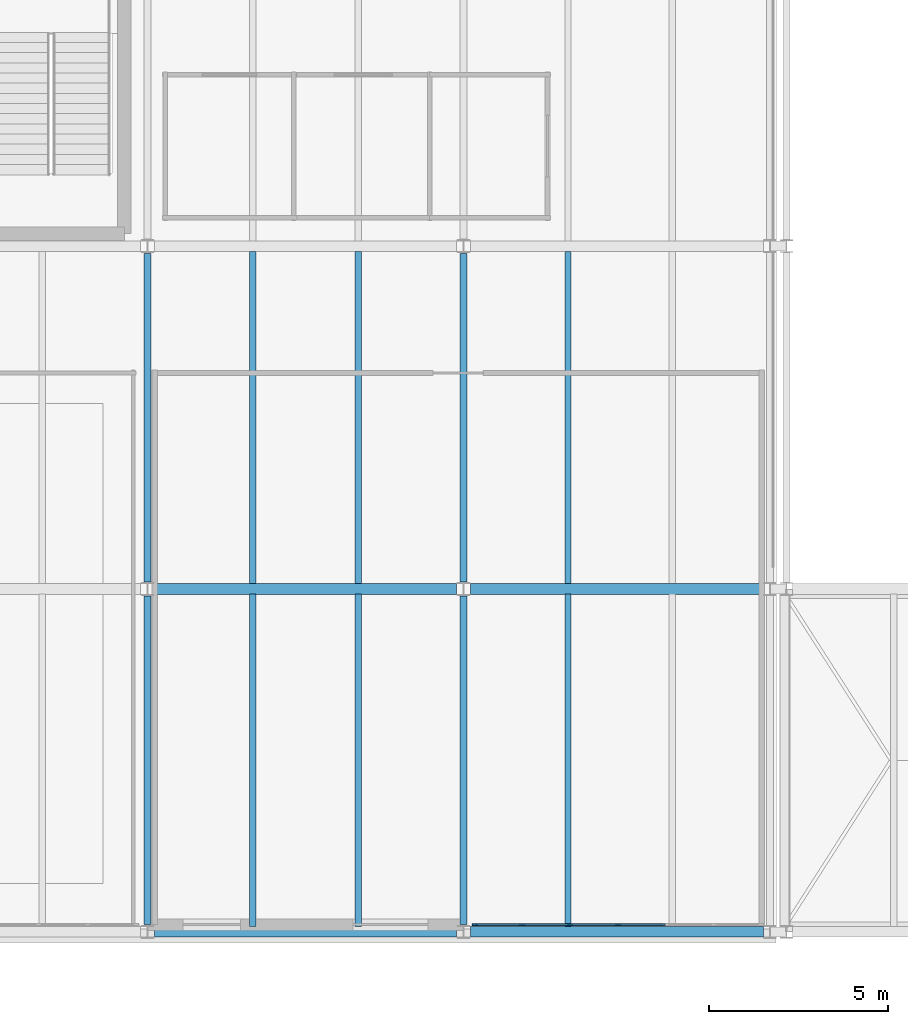
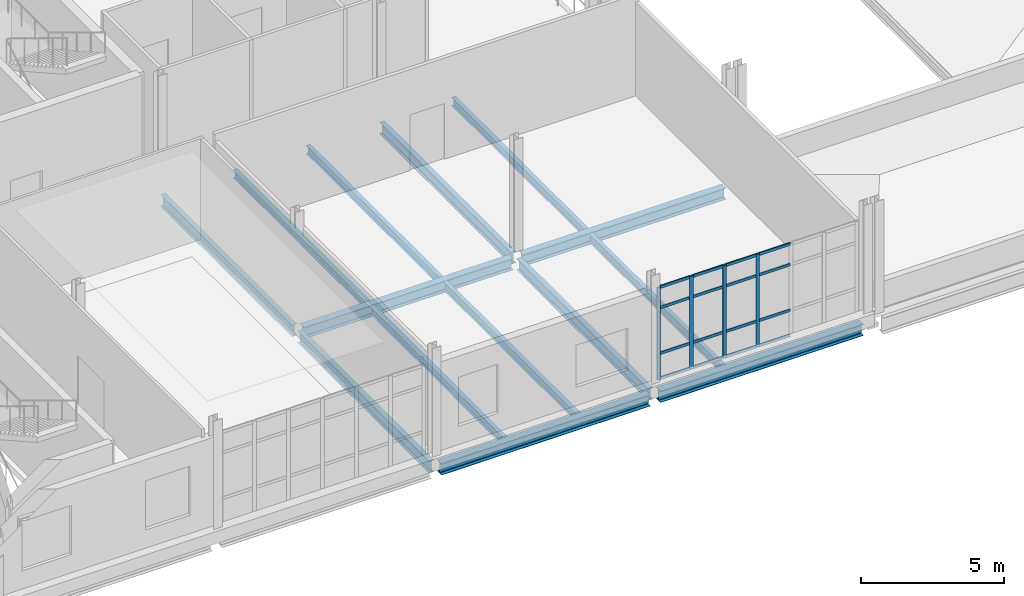
# One storey, part 20 of 112: 20 members, 14 beams, 1 element without a shape of its own.
"""IFC4 building model written with IfcOpenShell, lengths in metres."""

from ifc_helpers import new_model, si_unit, direction, frame, origin, origin_2d, place, context, subcontext, project, spatial, rectangle, i_section, extrude, material, layer, layer_set, material_profile, profile_set, type_object, element, aggregate, save


model = new_model("IFC4")

# Units and contexts
model_context = context("Model", 3, precision=1e-05, world=origin(), true_north=direction((0.0, 1.0)))
body_context = subcontext(model_context, "Body", "Model", "MODEL_VIEW")
ifc_project = project(units=[si_unit("LENGTHUNIT", "METRE"), si_unit("AREAUNIT", "SQUARE_METRE"), si_unit("VOLUMEUNIT", "CUBIC_METRE"), si_unit("PLANEANGLEUNIT", "RADIAN"), si_unit("MASSUNIT", "GRAM", prefix="KILO")], contexts=[model_context])

# Site, building, storey
site_placement = place(None, origin())
site = spatial("IfcSite", under=ifc_project, at=site_placement, CompositionType="ELEMENT")
building_placement = place(site_placement, origin())
building = spatial("IfcBuilding", under=site, at=building_placement, Name="Yeouljin Market Hall", CompositionType="ELEMENT")
storey_placement = place(building_placement, frame((0.0, 0.0, 6.0)))
storey = spatial("IfcBuildingStorey", under=building, at=storey_placement, Name="L01", CompositionType="ELEMENT", Elevation=6.0)

# Beams
ifc_material_1 = material(Name="Steel SM355", Category="steel")
ifc_material_profile_1 = material_profile(ifc_material_1, i_section(OverallWidth=0.199951171875, OverallDepth=0.5, WebThickness=0.010009765625, FlangeThickness=0.01611328125, FilletRadius=0.02001953125, at=origin_2d()), Name="H-500x200x10x16")
ifc_profile_set_1 = profile_set([ifc_material_profile_1], Name="Steel SM355")
beam_type_1 = type_object("IfcBeamType", Name="Beam_H-500x200x10x16", PredefinedType="BEAM", material=ifc_profile_set_1)
for number, where, z_axis, x_axis, name in (
    (1, (17.699951171875, 0.199951171875, -0.514892578125), (0.0, 1.0, 0.0), (-1.0, 0.0, 0.0), "Primary beam BM-L01-Y136"),
    (2, (17.699951171875, 9.800048828125, -0.514892578125), (0.0, 1.0, 0.0), (-1.0, 0.0, 0.0), "Primary beam BM-L01-Y137"),
    (3, (26.550048828125, 0.199951171875, -0.514892578125), (0.0, 1.0, 0.0), (-1.0, 0.0, 0.0), "Primary beam BM-L01-Y141"),
    (4, (26.550048828125, 9.800048828125, -0.514892578125), (0.0, 1.0, 0.0), (-1.0, 0.0, 0.0), "Primary beam BM-L01-Y142"),
):
    element("IfcBeam", number, at=place(storey_placement, frame(where, z_axis=z_axis, x_axis=x_axis)), inside=storey, type_object=beam_type_1, Name=name, PredefinedType="BEAM", context=body_context, shape_type="SweptSolid", body=[
        extrude(i_section(OverallWidth=0.199951171875, OverallDepth=0.5, WebThickness=0.010009765625, FlangeThickness=0.01611328125, FilletRadius=0.02001953125, at=origin_2d()), origin(), (0.0, 0.0, 1.0), 9.199951171875),
    ])

# Curtain wall, members
ifc_material_2 = material(Name="Thermally Broken Aluminium", Category="aluminium")
ifc_layer = layer(ifc_material_2, 0.14990234375)
ifc_layer_set = layer_set([ifc_layer], Name="Thermally Broken Aluminium")
curtain_wall_type = type_object("IfcCurtainWallType", Name="CW_AcademyRibbon_System", PredefinedType="USERDEFINED", material=ifc_layer_set)
curtain_wall_placement = place(storey_placement, origin())
curtain_wall = element("IfcCurtainWall", 5, at=curtain_wall_placement, inside=storey, type_object=curtain_wall_type, Name="Curtain wall CW-L01-W01", ObjectType="CURTAIN WALL", PredefinedType="USERDEFINED")
ifc_material_3 = material(Name="Thermally Broken Aluminium", Category="aluminium")
ifc_material_profile_2 = material_profile(ifc_material_3, rectangle(XDim=0.048095703125, YDim=0.14990234375, at=origin_2d()), Name="CW-MULL-48x150")
ifc_profile_set_2 = profile_set([ifc_material_profile_2], Name="Thermally Broken Aluminium")
member_type_1 = type_object("IfcMemberType", Name="CWMullion_48x150", PredefinedType="MULLION", material=ifc_profile_set_2)
member_1_placement = place(storey_placement, frame((30.875, 0.199951171875, 0.0), z_axis=(0.0, 0.0, 1.0), x_axis=(0.0, -1.0, 0.0)))
member_1 = element("IfcMember", 6, at=member_1_placement, type_object=member_type_1, Name="CW-05 mullion 4", PredefinedType="MULLION", context=body_context, shape_type="SweptSolid", body=[
    extrude(rectangle(XDim=0.048095703125, YDim=0.14990234375, at=origin_2d()), origin(), (0.0, 0.0, 1.0), 3.949951171875),
])
member_2_placement = place(storey_placement, frame((29.533447265625, 0.199951171875, 0.0), z_axis=(0.0, 0.0, 1.0), x_axis=(0.0, -1.0, 0.0)))
member_2 = element("IfcMember", 7, at=member_2_placement, type_object=member_type_1, Name="CW-05 mullion 5", PredefinedType="MULLION", context=body_context, shape_type="SweptSolid", body=[
    extrude(rectangle(XDim=0.048095703125, YDim=0.14990234375, at=origin_2d()), origin(), (0.0, 0.0, 1.0), 3.949951171875),
])
member_3_placement = place(storey_placement, frame((28.191650390625, 0.199951171875, 0.0), z_axis=(0.0, 0.0, 1.0), x_axis=(0.0, -1.0, 0.0)))
member_3 = element("IfcMember", 8, at=member_3_placement, type_object=member_type_1, Name="CW-05 mullion 6", PredefinedType="MULLION", context=body_context, shape_type="SweptSolid", body=[
    extrude(rectangle(XDim=0.048095703125, YDim=0.14990234375, at=origin_2d()), origin(), (0.0, 0.0, 1.0), 3.949951171875),
])
member_4_placement = place(storey_placement, frame((26.8740234375, 0.199951171875, 0.0), z_axis=(0.0, 0.0, 1.0), x_axis=(0.0, -1.0, 0.0)))
member_4 = element("IfcMember", 9, at=member_4_placement, type_object=member_type_1, Name="CW-05 mullion 7", PredefinedType="MULLION", context=body_context, shape_type="SweptSolid", body=[
    extrude(rectangle(XDim=0.048095703125, YDim=0.14990234375, at=origin_2d()), origin(), (0.0, 0.0, 1.0), 3.949951171875),
])
ifc_material_4 = material(Name="Thermally Broken Aluminium", Category="aluminium")
ifc_material_profile_3 = material_profile(ifc_material_4, rectangle(XDim=0.048095703125, YDim=0.1201171875, at=origin_2d()), Name="CW-TRAN-48x120")
ifc_profile_set_3 = profile_set([ifc_material_profile_3], Name="Thermally Broken Aluminium")
member_type_2 = type_object("IfcMemberType", Name="CWTransom_48x120", PredefinedType="USERDEFINED", material=ifc_profile_set_3)
member_5_placement = place(storey_placement, frame((32.192626953125, 0.199951171875, 0.02392578125), z_axis=(-1.0, 0.0, 0.0), x_axis=(0.0, -1.0, 0.0)))
member_5 = element("IfcMember", 10, at=member_5_placement, type_object=member_type_2, Name="CW-05 transom 3.1", ObjectType="TRANSOM", PredefinedType="USERDEFINED", context=body_context, shape_type="SweptSolid", body=[
    extrude(rectangle(XDim=0.048095703125, YDim=0.1201171875, at=origin_2d()), origin(), (0.0, 0.0, 1.0), 1.293701171875),
])
member_6_placement = place(storey_placement, frame((32.192626953125, 0.199951171875, 1.10009765625), z_axis=(-1.0, 0.0, 0.0), x_axis=(0.0, -1.0, 0.0)))
member_6 = element("IfcMember", 11, at=member_6_placement, type_object=member_type_2, Name="CW-05 transom 3.2", ObjectType="TRANSOM", PredefinedType="USERDEFINED", context=body_context, shape_type="SweptSolid", body=[
    extrude(rectangle(XDim=0.048095703125, YDim=0.1201171875, at=origin_2d()), origin(), (0.0, 0.0, 1.0), 1.293701171875),
])
member_7_placement = place(storey_placement, frame((32.192626953125, 0.199951171875, 3.050048828125), z_axis=(-1.0, 0.0, 0.0), x_axis=(0.0, -1.0, 0.0)))
member_7 = element("IfcMember", 12, at=member_7_placement, type_object=member_type_2, Name="CW-05 transom 3.3", ObjectType="TRANSOM", PredefinedType="USERDEFINED", context=body_context, shape_type="SweptSolid", body=[
    extrude(rectangle(XDim=0.048095703125, YDim=0.1201171875, at=origin_2d()), origin(), (0.0, 0.0, 1.0), 1.293701171875),
])
member_8_placement = place(storey_placement, frame((32.192626953125, 0.199951171875, 3.926025390625), z_axis=(-1.0, 0.0, 0.0), x_axis=(0.0, -1.0, 0.0)))
member_8 = element("IfcMember", 13, at=member_8_placement, type_object=member_type_2, Name="CW-05 transom 3.4", ObjectType="TRANSOM", PredefinedType="USERDEFINED", context=body_context, shape_type="SweptSolid", body=[
    extrude(rectangle(XDim=0.048095703125, YDim=0.1201171875, at=origin_2d()), origin(), (0.0, 0.0, 1.0), 1.293701171875),
])
member_9_placement = place(storey_placement, frame((30.85107421875, 0.199951171875, 0.02392578125), z_axis=(-1.0, 0.0, 0.0), x_axis=(0.0, -1.0, 0.0)))
member_9 = element("IfcMember", 14, at=member_9_placement, type_object=member_type_2, Name="CW-05 transom 4.1", ObjectType="TRANSOM", PredefinedType="USERDEFINED", context=body_context, shape_type="SweptSolid", body=[
    extrude(rectangle(XDim=0.048095703125, YDim=0.1201171875, at=origin_2d()), origin(), (0.0, 0.0, 1.0), 1.293701171875),
])
member_10_placement = place(storey_placement, frame((30.85107421875, 0.199951171875, 1.10009765625), z_axis=(-1.0, 0.0, 0.0), x_axis=(0.0, -1.0, 0.0)))
member_10 = element("IfcMember", 15, at=member_10_placement, type_object=member_type_2, Name="CW-05 transom 4.2", ObjectType="TRANSOM", PredefinedType="USERDEFINED", context=body_context, shape_type="SweptSolid", body=[
    extrude(rectangle(XDim=0.048095703125, YDim=0.1201171875, at=origin_2d()), origin(), (0.0, 0.0, 1.0), 1.293701171875),
])
member_11_placement = place(storey_placement, frame((30.85107421875, 0.199951171875, 3.050048828125), z_axis=(-1.0, 0.0, 0.0), x_axis=(0.0, -1.0, 0.0)))
member_11 = element("IfcMember", 16, at=member_11_placement, type_object=member_type_2, Name="CW-05 transom 4.3", ObjectType="TRANSOM", PredefinedType="USERDEFINED", context=body_context, shape_type="SweptSolid", body=[
    extrude(rectangle(XDim=0.048095703125, YDim=0.1201171875, at=origin_2d()), origin(), (0.0, 0.0, 1.0), 1.293701171875),
])
member_12_placement = place(storey_placement, frame((30.85107421875, 0.199951171875, 3.926025390625), z_axis=(-1.0, 0.0, 0.0), x_axis=(0.0, -1.0, 0.0)))
member_12 = element("IfcMember", 17, at=member_12_placement, type_object=member_type_2, Name="CW-05 transom 4.4", ObjectType="TRANSOM", PredefinedType="USERDEFINED", context=body_context, shape_type="SweptSolid", body=[
    extrude(rectangle(XDim=0.048095703125, YDim=0.1201171875, at=origin_2d()), origin(), (0.0, 0.0, 1.0), 1.293701171875),
])
member_13_placement = place(storey_placement, frame((29.50927734375, 0.199951171875, 0.02392578125), z_axis=(-1.0, 0.0, 0.0), x_axis=(0.0, -1.0, 0.0)))
member_13 = element("IfcMember", 18, at=member_13_placement, type_object=member_type_2, Name="CW-05 transom 5.1", ObjectType="TRANSOM", PredefinedType="USERDEFINED", context=body_context, shape_type="SweptSolid", body=[
    extrude(rectangle(XDim=0.048095703125, YDim=0.1201171875, at=origin_2d()), origin(), (0.0, 0.0, 1.0), 1.293701171875),
])
member_14_placement = place(storey_placement, frame((29.50927734375, 0.199951171875, 1.10009765625), z_axis=(-1.0, 0.0, 0.0), x_axis=(0.0, -1.0, 0.0)))
member_14 = element("IfcMember", 19, at=member_14_placement, type_object=member_type_2, Name="CW-05 transom 5.2", ObjectType="TRANSOM", PredefinedType="USERDEFINED", context=body_context, shape_type="SweptSolid", body=[
    extrude(rectangle(XDim=0.048095703125, YDim=0.1201171875, at=origin_2d()), origin(), (0.0, 0.0, 1.0), 1.293701171875),
])
member_15_placement = place(storey_placement, frame((29.50927734375, 0.199951171875, 3.050048828125), z_axis=(-1.0, 0.0, 0.0), x_axis=(0.0, -1.0, 0.0)))
member_15 = element("IfcMember", 20, at=member_15_placement, type_object=member_type_2, Name="CW-05 transom 5.3", ObjectType="TRANSOM", PredefinedType="USERDEFINED", context=body_context, shape_type="SweptSolid", body=[
    extrude(rectangle(XDim=0.048095703125, YDim=0.1201171875, at=origin_2d()), origin(), (0.0, 0.0, 1.0), 1.293701171875),
])
member_16_placement = place(storey_placement, frame((29.50927734375, 0.199951171875, 3.926025390625), z_axis=(-1.0, 0.0, 0.0), x_axis=(0.0, -1.0, 0.0)))
member_16 = element("IfcMember", 21, at=member_16_placement, type_object=member_type_2, Name="CW-05 transom 5.4", ObjectType="TRANSOM", PredefinedType="USERDEFINED", context=body_context, shape_type="SweptSolid", body=[
    extrude(rectangle(XDim=0.048095703125, YDim=0.1201171875, at=origin_2d()), origin(), (0.0, 0.0, 1.0), 1.293701171875),
])
member_17_placement = place(storey_placement, frame((28.167724609375, 0.199951171875, 0.02392578125), z_axis=(-1.0, 0.0, 0.0), x_axis=(0.0, -1.0, 0.0)))
member_17 = element("IfcMember", 22, at=member_17_placement, type_object=member_type_2, Name="CW-05 transom 6.1", ObjectType="TRANSOM", PredefinedType="USERDEFINED", context=body_context, shape_type="SweptSolid", body=[
    extrude(rectangle(XDim=0.048095703125, YDim=0.1201171875, at=origin_2d()), origin(), (0.0, 0.0, 1.0), 1.269775390625),
])
member_18_placement = place(storey_placement, frame((28.167724609375, 0.199951171875, 1.10009765625), z_axis=(-1.0, 0.0, 0.0), x_axis=(0.0, -1.0, 0.0)))
member_18 = element("IfcMember", 23, at=member_18_placement, type_object=member_type_2, Name="CW-05 transom 6.2", ObjectType="TRANSOM", PredefinedType="USERDEFINED", context=body_context, shape_type="SweptSolid", body=[
    extrude(rectangle(XDim=0.048095703125, YDim=0.1201171875, at=origin_2d()), origin(), (0.0, 0.0, 1.0), 1.269775390625),
])
member_19_placement = place(storey_placement, frame((28.167724609375, 0.199951171875, 3.050048828125), z_axis=(-1.0, 0.0, 0.0), x_axis=(0.0, -1.0, 0.0)))
member_19 = element("IfcMember", 24, at=member_19_placement, type_object=member_type_2, Name="CW-05 transom 6.3", ObjectType="TRANSOM", PredefinedType="USERDEFINED", context=body_context, shape_type="SweptSolid", body=[
    extrude(rectangle(XDim=0.048095703125, YDim=0.1201171875, at=origin_2d()), origin(), (0.0, 0.0, 1.0), 1.269775390625),
])
member_20_placement = place(storey_placement, frame((28.167724609375, 0.199951171875, 3.926025390625), z_axis=(-1.0, 0.0, 0.0), x_axis=(0.0, -1.0, 0.0)))
member_20 = element("IfcMember", 25, at=member_20_placement, type_object=member_type_2, Name="CW-05 transom 6.4", ObjectType="TRANSOM", PredefinedType="USERDEFINED", context=body_context, shape_type="SweptSolid", body=[
    extrude(rectangle(XDim=0.048095703125, YDim=0.1201171875, at=origin_2d()), origin(), (0.0, 0.0, 1.0), 1.269775390625),
])
aggregate(curtain_wall, [member_1, member_2, member_3, member_4, member_5, member_6, member_7, member_8, member_9, member_10, member_11, member_12, member_13, member_14, member_15, member_16, member_17, member_18, member_19, member_20])

# Beams
ifc_material_5 = material(Name="Steel SM355", Category="steel")
ifc_material_profile_4 = material_profile(ifc_material_5, i_section(OverallWidth=0.300048828125, OverallDepth=0.488037109375, WebThickness=0.010986328125, FlangeThickness=0.01806640625, FilletRadius=0.02197265625, at=origin_2d()), Name="H-488x300x11x18")
ifc_profile_set_4 = profile_set([ifc_material_profile_4], Name="Steel SM355")
beam_type_2 = type_object("IfcBeamType", Name="Girder_H-488x300x11x18", PredefinedType="USERDEFINED", material=ifc_profile_set_4)
beam_1_placement = place(storey_placement, frame((17.89990234375, 0.0, -0.509033203125), z_axis=(1.0, 0.0, 0.0), x_axis=(0.0, 1.0, 0.0)))
element("IfcBeam", 26, at=beam_1_placement, inside=storey, type_object=beam_type_2, Name="Primary girder GRD-L01-X003", ObjectType="GIRDER", PredefinedType="USERDEFINED", context=body_context, shape_type="SweptSolid", body=[
    extrude(i_section(OverallWidth=0.300048828125, OverallDepth=0.488037109375, WebThickness=0.010986328125, FlangeThickness=0.01806640625, FilletRadius=0.02197265625, at=origin_2d()), origin(), (0.0, 0.0, 1.0), 8.4501953125),
])
beam_2_placement = place(storey_placement, frame((26.75, 0.0, -0.509033203125), z_axis=(1.0, 0.0, 0.0), x_axis=(0.0, 1.0, 0.0)))
element("IfcBeam", 27, at=beam_2_placement, inside=storey, type_object=beam_type_2, Name="Primary girder GRD-L01-X004", ObjectType="GIRDER", PredefinedType="USERDEFINED", context=body_context, shape_type="SweptSolid", body=[
    extrude(i_section(OverallWidth=0.300048828125, OverallDepth=0.488037109375, WebThickness=0.010986328125, FlangeThickness=0.01806640625, FilletRadius=0.02197265625, at=origin_2d()), origin(), (0.0, 0.0, 1.0), 8.205078125),
])
beam_3_placement = place(storey_placement, frame((17.89990234375, 9.60009765625, -0.509033203125), z_axis=(1.0, 0.0, 0.0), x_axis=(0.0, 1.0, 0.0)))
element("IfcBeam", 28, at=beam_3_placement, inside=storey, type_object=beam_type_2, Name="Primary girder GRD-L01-X017", ObjectType="GIRDER", PredefinedType="USERDEFINED", context=body_context, shape_type="SweptSolid", body=[
    extrude(i_section(OverallWidth=0.300048828125, OverallDepth=0.488037109375, WebThickness=0.010986328125, FlangeThickness=0.01806640625, FilletRadius=0.02197265625, at=origin_2d()), origin(), (0.0, 0.0, 1.0), 8.4501953125),
])
beam_4_placement = place(storey_placement, frame((26.75, 9.60009765625, -0.509033203125), z_axis=(1.0, 0.0, 0.0), x_axis=(0.0, 1.0, 0.0)))
element("IfcBeam", 29, at=beam_4_placement, inside=storey, type_object=beam_type_2, Name="Primary girder GRD-L01-X018", ObjectType="GIRDER", PredefinedType="USERDEFINED", context=body_context, shape_type="SweptSolid", body=[
    extrude(i_section(OverallWidth=0.300048828125, OverallDepth=0.488037109375, WebThickness=0.010986328125, FlangeThickness=0.01806640625, FilletRadius=0.02197265625, at=origin_2d()), origin(), (0.0, 0.0, 1.0), 8.205078125),
])
ifc_material_6 = material(Name="Steel SM355", Category="steel")
ifc_material_profile_5 = material_profile(ifc_material_6, i_section(OverallWidth=0.175048828125, OverallDepth=0.35009765625, WebThickness=0.007080078125, FlangeThickness=0.010986328125, FilletRadius=0.013916015625, at=origin_2d()), Name="H-350x175x7x11")
ifc_profile_set_5 = profile_set([ifc_material_profile_5], Name="Steel SM355")
beam_type_3 = type_object("IfcBeamType", Name="Joist_H-350x175x7x11", PredefinedType="JOIST", material=ifc_profile_set_5)
for number, where, z_axis, x_axis, name in (
    (30, (20.64990234375, 0.14697265625, -0.43994140625), (0.0, 1.0, 0.0), (-1.0, 0.0, 0.0), "Secondary floor joist L01-014"),
    (31, (23.60009765625, 0.14697265625, -0.43994140625), (0.0, 1.0, 0.0), (-1.0, 0.0, 0.0), "Secondary floor joist L01-015"),
    (32, (20.64990234375, 9.7470703125, -0.43994140625), (0.0, 1.0, 0.0), (-1.0, 0.0, 0.0), "Secondary floor joist L01-016"),
    (33, (23.60009765625, 9.7470703125, -0.43994140625), (0.0, 1.0, 0.0), (-1.0, 0.0, 0.0), "Secondary floor joist L01-017"),
    (34, (29.473388671875, 0.14697265625, -0.43994140625), (0.0, 1.0, 0.0), (-1.0, 0.0, 0.0), "Secondary floor joist L01-020"),
    (35, (29.473388671875, 9.7470703125, -0.43994140625), (0.0, 1.0, 0.0), (-1.0, 0.0, 0.0), "Secondary floor joist L01-022"),
):
    element("IfcBeam", number, at=place(storey_placement, frame(where, z_axis=z_axis, x_axis=x_axis)), inside=storey, type_object=beam_type_3, Name=name, PredefinedType="JOIST", context=body_context, shape_type="SweptSolid", body=[
        extrude(i_section(OverallWidth=0.175048828125, OverallDepth=0.35009765625, WebThickness=0.007080078125, FlangeThickness=0.010986328125, FilletRadius=0.013916015625, at=origin_2d()), origin(), (0.0, 0.0, 1.0), 9.305908203125),
    ])

save(model, "model.ifc")
